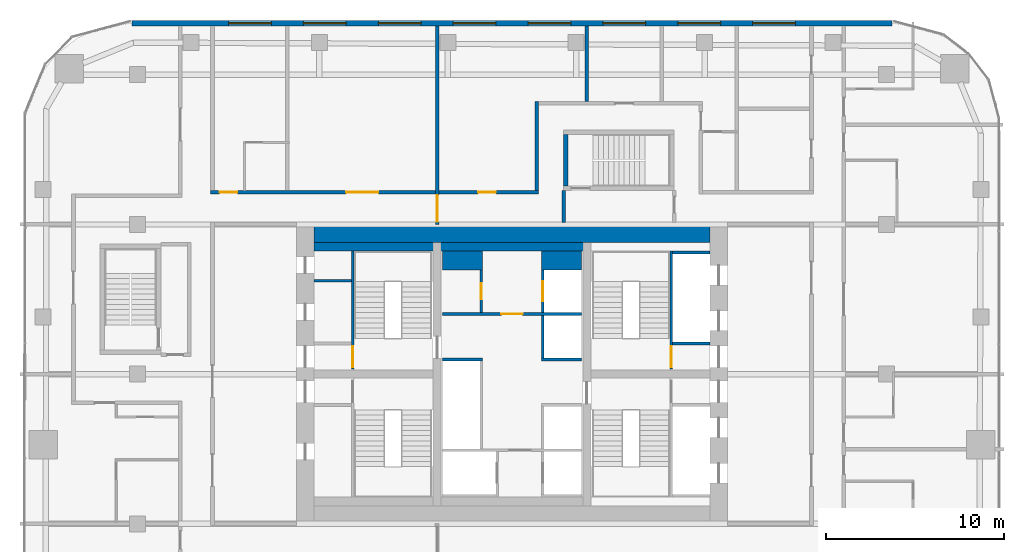
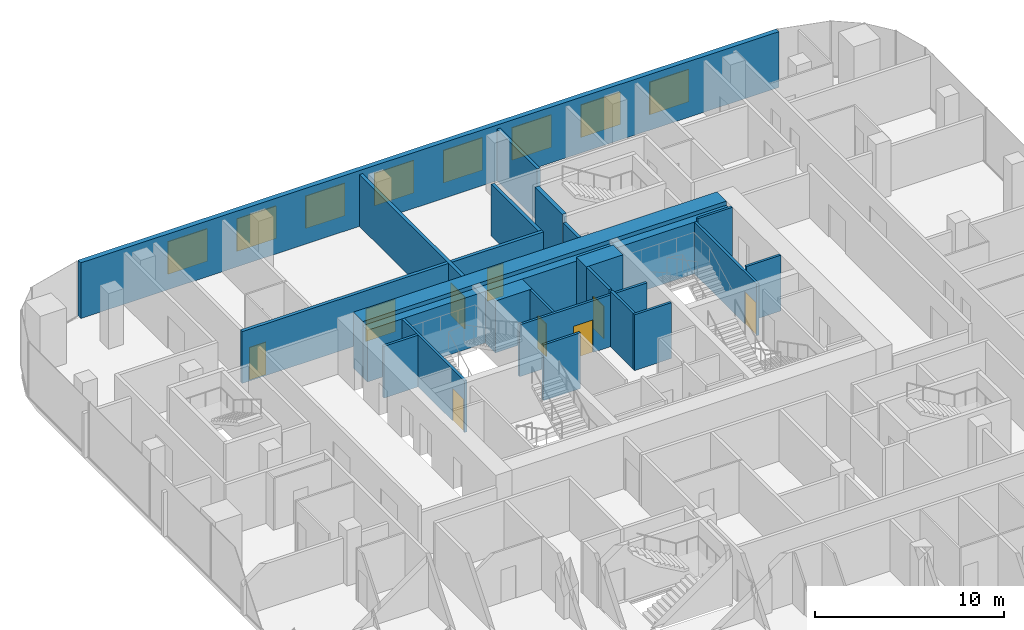
# One storey, part 19 of 23: 22 walls, 9 doors, 8 windows, 17 openings.
"""IFC4 building model written with IfcOpenShell, lengths in metres."""

from ifc_helpers import new_model, si_unit, direction, frame, frame_2d, origin, place, context, subcontext, project, spatial, rectangle, extrude, material, layer, layer_set, type_object, element, fill, save


model = new_model("IFC4")

# Units and contexts
model_context = context("Model", 3, precision=1e-05, world=origin(), true_north=direction((0.0, 1.0)))
body_context = subcontext(model_context, "Body", "Model", "MODEL_VIEW")
ifc_project = project(units=[si_unit("LENGTHUNIT", "METRE"), si_unit("AREAUNIT", "SQUARE_METRE"), si_unit("VOLUMEUNIT", "CUBIC_METRE"), si_unit("PLANEANGLEUNIT", "RADIAN"), si_unit("MASSUNIT", "GRAM", prefix="KILO")], contexts=[model_context])

# Site, building, storey
site_placement = place(None, origin())
site = spatial("IfcSite", under=ifc_project, at=site_placement, CompositionType="ELEMENT")
building_placement = place(site_placement, origin())
building = spatial("IfcBuilding", under=site, at=building_placement, Name="Marenta Gate Hotel Tower", CompositionType="ELEMENT")
storey_placement = place(building_placement, frame((0.0, 0.0, 148.10009765625)))
storey = spatial("IfcBuildingStorey", under=building, at=storey_placement, Name="L34", CompositionType="ELEMENT", Elevation=148.10009765625)

# Wall, openings, windows
ifc_material_1 = material(Name="Concrete C40 board-marked", Category="concrete")
ifc_layer_1 = layer(ifc_material_1, 0.300048828125)
ifc_layer_set_1 = layer_set([ifc_layer_1], Name="Concrete C40 board-marked")
wall_type_1 = type_object("IfcWallType", Name="Board-marked concrete wall 300 mm", PredefinedType="NOTDEFINED", material=ifc_layer_set_1)
wall_1_placement = place(storey_placement, frame((21.305908203125, 28.090087890625, 0.0), z_axis=(0.0, 0.0, 1.0), x_axis=(-1.0, 0.0, 0.0)))
wall_1 = element("IfcWall", 1, at=wall_1_placement, inside=storey, type_object=wall_type_1, Name="L34-CLD-N00", PredefinedType="NOTDEFINED", context=body_context, shape_type="SweptSolid", body=[
    extrude(rectangle(XDim=42.61181640625, YDim=0.300048828125, at=frame_2d((21.305908203125, 0.0))), origin(), (0.0, 0.0, 1.0), 3.599853515625),
])
opening_1_placement = place(wall_1_placement, frame((5.406005859375, 0.0, 0.89990234375)))
opening_1 = element("IfcOpeningElement", 2, at=opening_1_placement, cuts=wall_1, Name="Opening W1", PredefinedType="OPENING", context=body_context, shape_type="SweptSolid", body=[
    extrude(rectangle(XDim=2.39990234375, YDim=2.10009765625, at=frame_2d((1.199951171875, 1.050048828125))), frame((0.0, 0.14990234375, 0.0), z_axis=(0.0, -1.0, 0.0), x_axis=(1.0, 0.0, 0.0)), (0.0, 0.0, 1.0), 0.300048828125),
])
opening_2_placement = place(wall_1_placement, frame((9.60595703125, 0.0, 0.89990234375)))
opening_2 = element("IfcOpeningElement", 3, at=opening_2_placement, cuts=wall_1, Name="Opening W1", PredefinedType="OPENING", context=body_context, shape_type="SweptSolid", body=[
    extrude(rectangle(XDim=2.39990234375, YDim=2.10009765625, at=frame_2d((1.199951171875, 1.050048828125))), frame((0.0, 0.14990234375, 0.0), z_axis=(0.0, -1.0, 0.0), x_axis=(1.0, 0.0, 0.0)), (0.0, 0.0, 1.0), 0.300048828125),
])
opening_3_placement = place(wall_1_placement, frame((13.805908203125, 0.0, 0.89990234375)))
opening_3 = element("IfcOpeningElement", 4, at=opening_3_placement, cuts=wall_1, Name="Opening W1", PredefinedType="OPENING", context=body_context, shape_type="SweptSolid", body=[
    extrude(rectangle(XDim=2.39990234375, YDim=2.10009765625, at=frame_2d((1.199951171875, 1.050048828125))), frame((0.0, 0.14990234375, 0.0), z_axis=(0.0, -1.0, 0.0), x_axis=(1.0, 0.0, 0.0)), (0.0, 0.0, 1.0), 0.300048828125),
])
opening_4_placement = place(wall_1_placement, frame((18.005859375, 0.0, 0.89990234375)))
opening_4 = element("IfcOpeningElement", 5, at=opening_4_placement, cuts=wall_1, Name="Opening W1", PredefinedType="OPENING", context=body_context, shape_type="SweptSolid", body=[
    extrude(rectangle(XDim=2.39990234375, YDim=2.10009765625, at=frame_2d((1.199951171875, 1.050048828125))), frame((0.0, 0.14990234375, 0.0), z_axis=(0.0, -1.0, 0.0), x_axis=(1.0, 0.0, 0.0)), (0.0, 0.0, 1.0), 0.300048828125),
])
opening_5_placement = place(wall_1_placement, frame((22.205810546875, 0.0, 0.89990234375)))
opening_5 = element("IfcOpeningElement", 6, at=opening_5_placement, cuts=wall_1, Name="Opening W1", PredefinedType="OPENING", context=body_context, shape_type="SweptSolid", body=[
    extrude(rectangle(XDim=2.39990234375, YDim=2.10009765625, at=frame_2d((1.199951171875, 1.050048828125))), frame((0.0, 0.14990234375, 0.0), z_axis=(0.0, -1.0, 0.0), x_axis=(1.0, 0.0, 0.0)), (0.0, 0.0, 1.0), 0.300048828125),
])
opening_6_placement = place(wall_1_placement, frame((26.406005859375, 0.0, 0.89990234375)))
opening_6 = element("IfcOpeningElement", 7, at=opening_6_placement, cuts=wall_1, Name="Opening W1", PredefinedType="OPENING", context=body_context, shape_type="SweptSolid", body=[
    extrude(rectangle(XDim=2.39990234375, YDim=2.10009765625, at=frame_2d((1.199951171875, 1.050048828125))), frame((0.0, 0.14990234375, 0.0), z_axis=(0.0, -1.0, 0.0), x_axis=(1.0, 0.0, 0.0)), (0.0, 0.0, 1.0), 0.300048828125),
])
opening_7_placement = place(wall_1_placement, frame((30.60595703125, 0.0, 0.89990234375)))
opening_7 = element("IfcOpeningElement", 8, at=opening_7_placement, cuts=wall_1, Name="Opening W1", PredefinedType="OPENING", context=body_context, shape_type="SweptSolid", body=[
    extrude(rectangle(XDim=2.39990234375, YDim=2.10009765625, at=frame_2d((1.199951171875, 1.050048828125))), frame((0.0, 0.14990234375, 0.0), z_axis=(0.0, -1.0, 0.0), x_axis=(1.0, 0.0, 0.0)), (0.0, 0.0, 1.0), 0.300048828125),
])
opening_8_placement = place(wall_1_placement, frame((34.805908203125, 0.0, 0.89990234375)))
opening_8 = element("IfcOpeningElement", 9, at=opening_8_placement, cuts=wall_1, Name="Opening W1", PredefinedType="OPENING", context=body_context, shape_type="SweptSolid", body=[
    extrude(rectangle(XDim=2.39990234375, YDim=2.10009765625, at=frame_2d((1.199951171875, 1.050048828125))), frame((0.0, 0.14990234375, 0.0), z_axis=(0.0, -1.0, 0.0), x_axis=(1.0, 0.0, 0.0)), (0.0, 0.0, 1.0), 0.300048828125),
])
ifc_material_2 = material(Name="Tinted insulated glass in bronze anodised frame", Category="glass")
window_type = type_object("IfcWindowType", Name="Window W1 2400x2100 bronze frame", PartitioningType="SINGLE_PANEL", PredefinedType="WINDOW", material=ifc_material_2)
window_1_placement = place(opening_1_placement, origin())
window_1 = element("IfcWindow", 10, at=window_1_placement, inside=storey, type_object=window_type, Name="Window W1", OverallHeight=2.10009765625, OverallWidth=2.39990234375, PartitioningType="SINGLE_PANEL", PredefinedType="WINDOW", context=body_context, shape_type="SweptSolid", body=[
    extrude(rectangle(XDim=2.39990234375, YDim=2.10009765625, at=frame_2d((1.199951171875, 1.050048828125))), frame((0.0, 0.030029296875, 0.0), z_axis=(0.0, -1.0, 0.0), x_axis=(1.0, 0.0, 0.0)), (0.0, 0.0, 1.0), 0.06005859375),
])
fill(opening_1, window_1)
window_2_placement = place(opening_2_placement, origin())
window_2 = element("IfcWindow", 11, at=window_2_placement, inside=storey, type_object=window_type, Name="Window W1", OverallHeight=2.10009765625, OverallWidth=2.39990234375, PartitioningType="SINGLE_PANEL", PredefinedType="WINDOW", context=body_context, shape_type="SweptSolid", body=[
    extrude(rectangle(XDim=2.39990234375, YDim=2.10009765625, at=frame_2d((1.199951171875, 1.050048828125))), frame((0.0, 0.030029296875, 0.0), z_axis=(0.0, -1.0, 0.0), x_axis=(1.0, 0.0, 0.0)), (0.0, 0.0, 1.0), 0.06005859375),
])
fill(opening_2, window_2)
window_3_placement = place(opening_3_placement, origin())
window_3 = element("IfcWindow", 12, at=window_3_placement, inside=storey, type_object=window_type, Name="Window W1", OverallHeight=2.10009765625, OverallWidth=2.39990234375, PartitioningType="SINGLE_PANEL", PredefinedType="WINDOW", context=body_context, shape_type="SweptSolid", body=[
    extrude(rectangle(XDim=2.39990234375, YDim=2.10009765625, at=frame_2d((1.199951171875, 1.050048828125))), frame((0.0, 0.030029296875, 0.0), z_axis=(0.0, -1.0, 0.0), x_axis=(1.0, 0.0, 0.0)), (0.0, 0.0, 1.0), 0.06005859375),
])
fill(opening_3, window_3)
window_4_placement = place(opening_4_placement, origin())
window_4 = element("IfcWindow", 13, at=window_4_placement, inside=storey, type_object=window_type, Name="Window W1", OverallHeight=2.10009765625, OverallWidth=2.39990234375, PartitioningType="SINGLE_PANEL", PredefinedType="WINDOW", context=body_context, shape_type="SweptSolid", body=[
    extrude(rectangle(XDim=2.39990234375, YDim=2.10009765625, at=frame_2d((1.199951171875, 1.050048828125))), frame((0.0, 0.030029296875, 0.0), z_axis=(0.0, -1.0, 0.0), x_axis=(1.0, 0.0, 0.0)), (0.0, 0.0, 1.0), 0.06005859375),
])
fill(opening_4, window_4)
window_5_placement = place(opening_5_placement, origin())
window_5 = element("IfcWindow", 14, at=window_5_placement, inside=storey, type_object=window_type, Name="Window W1", OverallHeight=2.10009765625, OverallWidth=2.39990234375, PartitioningType="SINGLE_PANEL", PredefinedType="WINDOW", context=body_context, shape_type="SweptSolid", body=[
    extrude(rectangle(XDim=2.39990234375, YDim=2.10009765625, at=frame_2d((1.199951171875, 1.050048828125))), frame((0.0, 0.030029296875, 0.0), z_axis=(0.0, -1.0, 0.0), x_axis=(1.0, 0.0, 0.0)), (0.0, 0.0, 1.0), 0.06005859375),
])
fill(opening_5, window_5)
window_6_placement = place(opening_6_placement, origin())
window_6 = element("IfcWindow", 15, at=window_6_placement, inside=storey, type_object=window_type, Name="Window W1", OverallHeight=2.10009765625, OverallWidth=2.39990234375, PartitioningType="SINGLE_PANEL", PredefinedType="WINDOW", context=body_context, shape_type="SweptSolid", body=[
    extrude(rectangle(XDim=2.39990234375, YDim=2.10009765625, at=frame_2d((1.199951171875, 1.050048828125))), frame((0.0, 0.030029296875, 0.0), z_axis=(0.0, -1.0, 0.0), x_axis=(1.0, 0.0, 0.0)), (0.0, 0.0, 1.0), 0.06005859375),
])
fill(opening_6, window_6)
window_7_placement = place(opening_7_placement, origin())
window_7 = element("IfcWindow", 16, at=window_7_placement, inside=storey, type_object=window_type, Name="Window W1", OverallHeight=2.10009765625, OverallWidth=2.39990234375, PartitioningType="SINGLE_PANEL", PredefinedType="WINDOW", context=body_context, shape_type="SweptSolid", body=[
    extrude(rectangle(XDim=2.39990234375, YDim=2.10009765625, at=frame_2d((1.199951171875, 1.050048828125))), frame((0.0, 0.030029296875, 0.0), z_axis=(0.0, -1.0, 0.0), x_axis=(1.0, 0.0, 0.0)), (0.0, 0.0, 1.0), 0.06005859375),
])
fill(opening_7, window_7)
window_8_placement = place(opening_8_placement, origin())
window_8 = element("IfcWindow", 17, at=window_8_placement, inside=storey, type_object=window_type, Name="Window W1", OverallHeight=2.10009765625, OverallWidth=2.39990234375, PartitioningType="SINGLE_PANEL", PredefinedType="WINDOW", context=body_context, shape_type="SweptSolid", body=[
    extrude(rectangle(XDim=2.39990234375, YDim=2.10009765625, at=frame_2d((1.199951171875, 1.050048828125))), frame((0.0, 0.030029296875, 0.0), z_axis=(0.0, -1.0, 0.0), x_axis=(1.0, 0.0, 0.0)), (0.0, 0.0, 1.0), 0.06005859375),
])
fill(opening_8, window_8)

# Wall, opening, door
ifc_material_3 = material(Name="Concrete blockwork", Category="masonry")
ifc_layer_2 = layer(ifc_material_3, 0.199951171875)
ifc_layer_set_2 = layer_set([ifc_layer_2], Name="Concrete blockwork")
wall_type_2 = type_object("IfcWallType", Name="Compartment wall 200 REI 180", PredefinedType="PARTITIONING", material=ifc_layer_set_2)
wall_2_placement = place(storey_placement, frame((-4.199951171875, 16.800048828125, 0.0), z_axis=(0.0, 0.0, 1.0), x_axis=(0.0, 1.0, 0.0)))
wall_2 = element("IfcWall", 18, at=wall_2_placement, inside=storey, type_object=wall_type_2, Name="L34-PTN-W074", PredefinedType="PARTITIONING", context=body_context, shape_type="SweptSolid", body=[
    extrude(rectangle(XDim=11.139892578125, YDim=0.199951171875, at=frame_2d((5.56982421875, 0.0))), origin(), (0.0, 0.0, 1.0), 3.33984375),
])
opening_9_placement = place(wall_2_placement, frame((0.14990234375, 0.0, 0.0)))
opening_9 = element("IfcOpeningElement", 19, at=opening_9_placement, cuts=wall_2, Name="Opening G13-FD1", PredefinedType="OPENING", context=body_context, shape_type="SweptSolid", body=[
    extrude(rectangle(XDim=1.5, YDim=2.10009765625, at=frame_2d((0.75, 1.050048828125))), frame((0.0, 0.10009765625, 0.0), z_axis=(0.0, -1.0, 0.0), x_axis=(1.0, 0.0, 0.0)), (0.0, 0.0, 1.0), 0.199951171875),
])
ifc_material_4 = material(Name="Hollow steel door set", Category="steel")
door_type_1 = type_object("IfcDoorType", Name="Compartment fire door 1500x2100 EI 60", OperationType="DOUBLE_DOOR_DOUBLE_SWING", PredefinedType="DOOR", material=ifc_material_4)
door_1_placement = place(opening_9_placement, origin())
door_1 = element("IfcDoor", 20, at=door_1_placement, inside=storey, type_object=door_type_1, Name="L34-PD-FD01", OperationType="DOUBLE_DOOR_DOUBLE_SWING", OverallHeight=2.10009765625, OverallWidth=1.5, PredefinedType="DOOR", context=body_context, shape_type="SweptSolid", body=[
    extrude(rectangle(XDim=1.5, YDim=2.10009765625, at=frame_2d((0.75, 1.050048828125))), frame((0.0, 0.02490234375, 0.0), z_axis=(0.0, -1.0, 0.0), x_axis=(1.0, 0.0, 0.0)), (0.0, 0.0, 1.0), 0.050048828125),
])
fill(opening_9, door_1)

# Wall
ifc_material_5 = material(Name="Concrete C40", Category="concrete")
ifc_layer_3 = layer(ifc_material_5, 0.5)
ifc_layer_set_3 = layer_set([ifc_layer_3], Name="Concrete C40")
wall_type_3 = type_object("IfcWallType", Name="Core lining wall 500 REI 180", PredefinedType="PARTITIONING", material=ifc_layer_set_3)
wall_3_placement = place(storey_placement, frame((-11.10009765625, 15.550048828125, 0.0), z_axis=(0.0, 0.0, 1.0), x_axis=(1.0, 0.0, 0.0)))
element("IfcWall", 21, at=wall_3_placement, inside=storey, type_object=wall_type_3, Name="L34-CP-LN-N", PredefinedType="PARTITIONING", context=body_context, shape_type="SweptSolid", body=[
    extrude(rectangle(XDim=22.2001953125, YDim=0.5, at=frame_2d((11.10009765625, 0.0))), origin(), (0.0, 0.0, 1.0), 3.33984375),
])

# Wall, opening, door
ifc_material_6 = material(Name="Concrete blockwork", Category="masonry")
ifc_layer_4 = layer(ifc_material_6, 0.14990234375)
ifc_layer_set_4 = layer_set([ifc_layer_4], Name="Concrete blockwork")
wall_type_4 = type_object("IfcWallType", Name="Core lobby partition 150 REI 180", PredefinedType="PARTITIONING", material=ifc_layer_set_4)
wall_4_placement = place(storey_placement, frame((-3.89990234375, 11.77490234375, 0.0), z_axis=(0.0, 0.0, 1.0), x_axis=(1.0, 0.0, 0.0)))
wall_4 = element("IfcWall", 22, at=wall_4_placement, inside=storey, type_object=wall_type_4, Name="L34-CP-CW-N", PredefinedType="PARTITIONING", context=body_context, shape_type="SweptSolid", body=[
    extrude(rectangle(XDim=7.7998046875, YDim=0.14990234375, at=frame_2d((3.89990234375, 0.0))), origin(), (0.0, 0.0, 1.0), 3.33984375),
])
opening_10_placement = place(wall_4_placement, frame((3.300048828125, 0.0, 0.0)))
opening_10 = element("IfcOpeningElement", 23, at=opening_10_placement, cuts=wall_4, Name="Opening FD-FFN", PredefinedType="OPENING", context=body_context, shape_type="SweptSolid", body=[
    extrude(rectangle(XDim=1.199951171875, YDim=2.10009765625, at=frame_2d((0.60009765625, 1.050048828125))), frame((0.0, 0.074951171875, 0.0), z_axis=(0.0, -1.0, 0.0), x_axis=(1.0, 0.0, 0.0)), (0.0, 0.0, 1.0), 0.14990234375),
])
ifc_material_7 = material(Name="Steel", Category="steel")
door_type_2 = type_object("IfcDoorType", Name="Core lobby door 1200x2100 FD60", OperationType="SINGLE_SWING_LEFT", PredefinedType="DOOR", material=ifc_material_7)
door_2_placement = place(opening_10_placement, origin())
door_2 = element("IfcDoor", 24, at=door_2_placement, inside=storey, type_object=door_type_2, Name="FD-FFN", OperationType="SINGLE_SWING_LEFT", OverallHeight=2.10009765625, OverallWidth=1.199951171875, PredefinedType="DOOR", context=body_context, shape_type="SweptSolid", body=[
    extrude(rectangle(XDim=1.199951171875, YDim=2.10009765625, at=frame_2d((0.60009765625, 1.050048828125))), frame((0.0, 0.02490234375, 0.0), z_axis=(0.0, -1.0, 0.0), x_axis=(1.0, 0.0, 0.0)), (0.0, 0.0, 1.0), 0.050048828125),
])
fill(opening_10, door_2)

# Walls
ifc_material_8 = material(Name="Concrete blockwork", Category="masonry")
ifc_layer_5 = layer(ifc_material_8, 1.050048828125)
ifc_layer_set_5 = layer_set([ifc_layer_5], Name="Concrete blockwork")
wall_type_5 = type_object("IfcWallType", Name="Core room partition 1050 REI 180", PredefinedType="PARTITIONING", material=ifc_layer_set_5)
wall_5_placement = place(storey_placement, frame((-3.89990234375, 14.77490234375, 0.0), z_axis=(0.0, 0.0, 1.0), x_axis=(1.0, 0.0, 0.0)))
element("IfcWall", 25, at=wall_5_placement, inside=storey, type_object=wall_type_5, Name="L34-CP-CW-W-riser-N", PredefinedType="PARTITIONING", context=body_context, shape_type="SweptSolid", body=[
    extrude(rectangle(XDim=2.25, YDim=1.050048828125, at=frame_2d((1.125, 0.0))), origin(), (0.0, 0.0, 1.0), 3.33984375),
])
ifc_material_9 = material(Name="Concrete blockwork", Category="masonry")
ifc_layer_6 = layer(ifc_material_9, 0.14990234375)
ifc_layer_set_6 = layer_set([ifc_layer_6], Name="Concrete blockwork")
wall_type_6 = type_object("IfcWallType", Name="Core room partition 150 REI 180", PredefinedType="PARTITIONING", material=ifc_layer_set_6)
wall_6_placement = place(storey_placement, frame((-11.10009765625, 13.64990234375, 0.0), z_axis=(0.0, 0.0, 1.0), x_axis=(1.0, 0.0, 0.0)))
element("IfcWall", 26, at=wall_6_placement, inside=storey, type_object=wall_type_6, Name="L34-CP-RW-WN-1", PredefinedType="PARTITIONING", context=body_context, shape_type="SweptSolid", body=[
    extrude(rectangle(XDim=2.10009765625, YDim=0.14990234375, at=frame_2d((1.050048828125, 0.0))), origin(), (0.0, 0.0, 1.0), 3.33984375),
])

# Wall, opening, door
wall_7_placement = place(storey_placement, frame((-1.72509765625, 11.85009765625, 0.0), z_axis=(0.0, 0.0, 1.0), x_axis=(0.0, 1.0, 0.0)))
wall_7 = element("IfcWall", 27, at=wall_7_placement, inside=storey, type_object=wall_type_6, Name="L34-CP-CW-W-riser-front", PredefinedType="PARTITIONING", context=body_context, shape_type="SweptSolid", body=[
    extrude(rectangle(XDim=2.39990234375, YDim=0.14990234375, at=frame_2d((1.199951171875, 0.0))), origin(), (0.0, 0.0, 1.0), 3.33984375),
])
opening_11_placement = place(wall_7_placement, frame((0.75, 0.0, 0.0)))
opening_11 = element("IfcOpeningElement", 28, at=opening_11_placement, cuts=wall_7, Name="Opening RD-CRISER", PredefinedType="OPENING", context=body_context, shape_type="SweptSolid", body=[
    extrude(rectangle(XDim=0.89990234375, YDim=2.10009765625, at=frame_2d((0.449951171875, 1.050048828125))), frame((0.0, 0.074951171875, 0.0), z_axis=(0.0, -1.0, 0.0), x_axis=(1.0, 0.0, 0.0)), (0.0, 0.0, 1.0), 0.14990234375),
])
ifc_material_10 = material(Name="Steel", Category="steel")
door_type_3 = type_object("IfcDoorType", Name="Core riser door 900x2100 FD60", OperationType="SINGLE_SWING_LEFT", PredefinedType="DOOR", material=ifc_material_10)
door_3_placement = place(opening_11_placement, origin())
door_3 = element("IfcDoor", 29, at=door_3_placement, inside=storey, type_object=door_type_3, Name="RD-CRISER", OperationType="SINGLE_SWING_LEFT", OverallHeight=2.10009765625, OverallWidth=0.89990234375, PredefinedType="DOOR", context=body_context, shape_type="SweptSolid", body=[
    extrude(rectangle(XDim=0.89990234375, YDim=2.10009765625, at=frame_2d((0.449951171875, 1.050048828125))), frame((0.0, 0.02490234375, 0.0), z_axis=(0.0, -1.0, 0.0), x_axis=(1.0, 0.0, 0.0)), (0.0, 0.0, 1.0), 0.050048828125),
])
fill(opening_11, door_3)

# Walls
ifc_material_11 = material(Name="Concrete C40", Category="concrete")
ifc_layer_7 = layer(ifc_material_11, 1.050048828125)
ifc_layer_set_7 = layer_set([ifc_layer_7], Name="Concrete C40")
wall_type_7 = type_object("IfcWallType", Name="Core shaft wall 1050 REI 180", PredefinedType="SHEAR", material=ifc_layer_set_7)
wall_8_placement = place(storey_placement, frame((1.64990234375, 14.77490234375, 0.0), z_axis=(0.0, 0.0, 1.0), x_axis=(1.0, 0.0, 0.0)))
element("IfcWall", 30, at=wall_8_placement, inside=storey, type_object=wall_type_7, Name="L34-SHF-CE-N-top", PredefinedType="SHEAR", context=body_context, shape_type="SweptSolid", body=[
    extrude(rectangle(XDim=2.25, YDim=1.050048828125, at=frame_2d((1.125, 0.0))), origin(), (0.0, 0.0, 1.0), 3.599853515625),
])
ifc_material_12 = material(Name="Concrete C40", Category="concrete")
ifc_layer_8 = layer(ifc_material_12, 0.14990234375)
ifc_layer_set_8 = layer_set([ifc_layer_8], Name="Concrete C40")
wall_type_8 = type_object("IfcWallType", Name="Core shaft wall 150 REI 180", PredefinedType="SHEAR", material=ifc_layer_set_8)
for number, where, z_axis, x_axis, name in (
    (31, (9.0, 10.125, 0.0), (0.0, 0.0, 1.0), (1.0, 0.0, 0.0), "L34-SHF-SW-EN-2"),
    (32, (9.0, 15.22509765625, 0.0), (0.0, 0.0, 1.0), (1.0, 0.0, 0.0), "L34-SHF-SW-EN-5"),
):
    element("IfcWall", number, at=place(storey_placement, frame(where, z_axis=z_axis, x_axis=x_axis)), inside=storey, type_object=wall_type_8, Name=name, PredefinedType="SHEAR", context=body_context, shape_type="SweptSolid", body=[
        extrude(rectangle(XDim=2.10009765625, YDim=0.14990234375, at=frame_2d((1.050048828125, 0.0))), origin(), (0.0, 0.0, 1.0), 3.599853515625),
    ])
wall_9_placement = place(storey_placement, frame((-3.89990234375, 9.22509765625, 0.0), z_axis=(0.0, 0.0, 1.0), x_axis=(1.0, 0.0, 0.0)))
element("IfcWall", 33, at=wall_9_placement, inside=storey, type_object=wall_type_8, Name="L34-SHF-CW-W-sep", PredefinedType="SHEAR", context=body_context, shape_type="SweptSolid", body=[
    extrude(rectangle(XDim=2.25, YDim=0.14990234375, at=frame_2d((1.125, 0.0))), origin(), (0.0, 0.0, 1.0), 3.599853515625),
])

# Wall, opening, door
wall_10_placement = place(storey_placement, frame((1.72509765625, 11.85009765625, 0.0), z_axis=(0.0, 0.0, 1.0), x_axis=(0.0, 1.0, 0.0)))
wall_10 = element("IfcWall", 34, at=wall_10_placement, inside=storey, type_object=wall_type_8, Name="L34-SHF-CE-N-front2", PredefinedType="SHEAR", context=body_context, shape_type="SweptSolid", body=[
    extrude(rectangle(XDim=2.39990234375, YDim=0.14990234375, at=frame_2d((1.199951171875, 0.0))), origin(), (0.0, 0.0, 1.0), 3.599853515625),
])
opening_12_placement = place(wall_10_placement, frame((0.64990234375, 0.0, 0.0)))
opening_12 = element("IfcOpeningElement", 35, at=opening_12_placement, cuts=wall_10, Name="Opening LD-FF2", PredefinedType="OPENING", context=body_context, shape_type="SweptSolid", body=[
    extrude(rectangle(XDim=1.10009765625, YDim=2.10009765625, at=frame_2d((0.550048828125, 1.050048828125))), frame((0.0, 0.074951171875, 0.0), z_axis=(0.0, -1.0, 0.0), x_axis=(1.0, 0.0, 0.0)), (0.0, 0.0, 1.0), 0.14990234375),
])
ifc_material_13 = material(Name="Steel", Category="steel")
door_type_4 = type_object("IfcDoorType", Name="Core lift landing door 1100x2100 E 60", OperationType="SLIDING_TO_LEFT", PredefinedType="DOOR", material=ifc_material_13)
door_4_placement = place(opening_12_placement, origin())
door_4 = element("IfcDoor", 36, at=door_4_placement, inside=storey, type_object=door_type_4, Name="LD-FF2", OperationType="SLIDING_TO_LEFT", OverallHeight=2.10009765625, OverallWidth=1.10009765625, PredefinedType="DOOR", context=body_context, shape_type="SweptSolid", body=[
    extrude(rectangle(XDim=1.10009765625, YDim=2.10009765625, at=frame_2d((0.550048828125, 1.050048828125))), frame((0.0, 0.02490234375, 0.0), z_axis=(0.0, -1.0, 0.0), x_axis=(1.0, 0.0, 0.0)), (0.0, 0.0, 1.0), 0.050048828125),
])
fill(opening_12, door_4)

# Walls
wall_11_placement = place(storey_placement, frame((1.64990234375, 9.22509765625, 0.0), z_axis=(0.0, 0.0, 1.0), x_axis=(1.0, 0.0, 0.0)))
element("IfcWall", 37, at=wall_11_placement, inside=storey, type_object=wall_type_8, Name="L34-SHF-CE-sep2", PredefinedType="SHEAR", context=body_context, shape_type="SweptSolid", body=[
    extrude(rectangle(XDim=2.25, YDim=0.14990234375, at=frame_2d((1.125, 0.0))), origin(), (0.0, 0.0, 1.0), 3.599853515625),
])
wall_12_placement = place(storey_placement, frame((1.72509765625, 9.300048828125, 0.0), z_axis=(0.0, 0.0, 1.0), x_axis=(0.0, 1.0, 0.0)))
element("IfcWall", 38, at=wall_12_placement, inside=storey, type_object=wall_type_8, Name="L34-SHF-CE-front-2", PredefinedType="SHEAR", context=body_context, shape_type="SweptSolid", body=[
    extrude(rectangle(XDim=2.39990234375, YDim=0.14990234375, at=frame_2d((1.199951171875, 0.0))), origin(), (0.0, 0.0, 1.0), 3.599853515625),
])

# Wall, opening, door
ifc_material_14 = material(Name="Concrete C40", Category="concrete")
ifc_layer_9 = layer(ifc_material_14, 0.14990234375)
ifc_layer_set_9 = layer_set([ifc_layer_9], Name="Concrete C40")
wall_type_9 = type_object("IfcWallType", Name="Core stair enclosure wall 150 REI 180", PredefinedType="SHEAR", material=ifc_layer_set_9)
wall_13_placement = place(storey_placement, frame((-8.925048828125, 8.699951171875, 0.0), z_axis=(0.0, 0.0, 1.0), x_axis=(0.0, 1.0, 0.0)))
wall_13 = element("IfcWall", 39, at=wall_13_placement, inside=storey, type_object=wall_type_9, Name="L34-SHF-SW-WN-3", PredefinedType="SHEAR", context=body_context, shape_type="SweptSolid", body=[
    extrude(rectangle(XDim=6.60009765625, YDim=0.14990234375, at=frame_2d((3.300048828125, 0.0))), origin(), (0.0, 0.0, 1.0), 3.33984375),
])
opening_13_placement = place(wall_13_placement, frame((0.074951171875, 0.0, 0.0)))
opening_13 = element("IfcOpeningElement", 40, at=opening_13_placement, cuts=wall_13, Name="Opening SD-WN", PredefinedType="OPENING", context=body_context, shape_type="SweptSolid", body=[
    extrude(rectangle(XDim=1.199951171875, YDim=2.10009765625, at=frame_2d((0.60009765625, 1.050048828125))), frame((0.0, 0.074951171875, 0.0), z_axis=(0.0, -1.0, 0.0), x_axis=(1.0, 0.0, 0.0)), (0.0, 0.0, 1.0), 0.14990234375),
])
ifc_material_15 = material(Name="Steel", Category="steel")
door_type_5 = type_object("IfcDoorType", Name="Core stair door 1200x2100 FD60", OperationType="SINGLE_SWING_LEFT", PredefinedType="DOOR", material=ifc_material_15)
door_5_placement = place(opening_13_placement, origin())
door_5 = element("IfcDoor", 41, at=door_5_placement, inside=storey, type_object=door_type_5, Name="SD-WN", OperationType="SINGLE_SWING_LEFT", OverallHeight=2.10009765625, OverallWidth=1.199951171875, PredefinedType="DOOR", context=body_context, shape_type="SweptSolid", body=[
    extrude(rectangle(XDim=1.199951171875, YDim=2.10009765625, at=frame_2d((0.60009765625, 1.050048828125))), frame((0.0, 0.02490234375, 0.0), z_axis=(0.0, -1.0, 0.0), x_axis=(1.0, 0.0, 0.0)), (0.0, 0.0, 1.0), 0.050048828125),
])
fill(opening_13, door_5)

wall_14_placement = place(storey_placement, frame((8.925048828125, 8.699951171875, 0.0), z_axis=(0.0, 0.0, 1.0), x_axis=(0.0, 1.0, 0.0)))
wall_14 = element("IfcWall", 42, at=wall_14_placement, inside=storey, type_object=wall_type_9, Name="L34-SHF-SW-EN-3", PredefinedType="SHEAR", context=body_context, shape_type="SweptSolid", body=[
    extrude(rectangle(XDim=6.60009765625, YDim=0.14990234375, at=frame_2d((3.300048828125, 0.0))), origin(), (0.0, 0.0, 1.0), 3.33984375),
])
opening_14_placement = place(wall_14_placement, frame((0.074951171875, 0.0, 0.0)))
opening_14 = element("IfcOpeningElement", 43, at=opening_14_placement, cuts=wall_14, Name="Opening SD-EN", PredefinedType="OPENING", context=body_context, shape_type="SweptSolid", body=[
    extrude(rectangle(XDim=1.199951171875, YDim=2.10009765625, at=frame_2d((0.60009765625, 1.050048828125))), frame((0.0, 0.074951171875, 0.0), z_axis=(0.0, -1.0, 0.0), x_axis=(1.0, 0.0, 0.0)), (0.0, 0.0, 1.0), 0.14990234375),
])
door_6_placement = place(opening_14_placement, origin())
door_6 = element("IfcDoor", 44, at=door_6_placement, inside=storey, type_object=door_type_5, Name="SD-EN", OperationType="SINGLE_SWING_LEFT", OverallHeight=2.10009765625, OverallWidth=1.199951171875, PredefinedType="DOOR", context=body_context, shape_type="SweptSolid", body=[
    extrude(rectangle(XDim=1.199951171875, YDim=2.10009765625, at=frame_2d((0.60009765625, 1.050048828125))), frame((0.0, 0.02490234375, 0.0), z_axis=(0.0, -1.0, 0.0), x_axis=(1.0, 0.0, 0.0)), (0.0, 0.0, 1.0), 0.050048828125),
])
fill(opening_14, door_6)

# Walls
ifc_material_16 = material(Name="Concrete C70", Category="concrete")
ifc_layer_10 = layer(ifc_material_16, 1.0)
ifc_layer_set_10 = layer_set([ifc_layer_10], Name="Concrete C70")
wall_type_10 = type_object("IfcWallType", Name="Core wall 1000 C70", PredefinedType="SHEAR", material=ifc_layer_set_10)
wall_15_placement = place(storey_placement, frame((-11.10009765625, 16.300048828125, 0.0), z_axis=(0.0, 0.0, 1.0), x_axis=(1.0, 0.0, 0.0)))
element("IfcWall", 45, at=wall_15_placement, inside=storey, type_object=wall_type_10, Name="L34-CORE-N", PredefinedType="SHEAR", context=body_context, shape_type="SweptSolid", body=[
    extrude(rectangle(XDim=22.2001953125, YDim=1.0, at=frame_2d((11.10009765625, 0.0))), origin(), (0.0, 0.0, 1.0), 3.599853515625),
])
ifc_material_17 = material(Name="Concrete C40", Category="concrete")
ifc_layer_11 = layer(ifc_material_17, 0.25)
ifc_layer_set_11 = layer_set([ifc_layer_11], Name="Concrete C40")
wall_type_11 = type_object("IfcWallType", Name="Remote stair enclosure wall 250 REI 180", PredefinedType="SHEAR", material=ifc_layer_set_11)
wall_16_placement = place(storey_placement, frame((3.02490234375, 18.949951171875, 0.099853515625), z_axis=(0.0, 0.0, 1.0), x_axis=(0.0, 1.0, 0.0)))
element("IfcWall", 46, at=wall_16_placement, inside=storey, type_object=wall_type_11, Name="L34-RS-Z2-4-W3", PredefinedType="SHEAR", context=body_context, shape_type="SweptSolid", body=[
    extrude(rectangle(XDim=2.900146484375, YDim=0.25, at=frame_2d((1.4501953125, 0.0))), origin(), (0.0, 0.0, 1.0), 3.60009765625),
])
ifc_material_18 = material(Name="Gypsum board on steel stud", Category="steel")
ifc_layer_12 = layer(ifc_material_18, 0.199951171875)
ifc_layer_set_12 = layer_set([ifc_layer_12], Name="Gypsum board on steel stud")
wall_type_12 = type_object("IfcWallType", Name="Room corridor wall 200 EI 60", PredefinedType="PARTITIONING", material=ifc_layer_set_12)
wall_17_placement = place(storey_placement, frame((1.39990234375, 18.699951171875, 0.0), z_axis=(0.0, 0.0, 1.0), x_axis=(0.0, 1.0, 0.0)))
element("IfcWall", 47, at=wall_17_placement, inside=storey, type_object=wall_type_12, Name="L34-PTN-W065", PredefinedType="PARTITIONING", context=body_context, shape_type="SweptSolid", body=[
    extrude(rectangle(XDim=5.0, YDim=0.199951171875, at=frame_2d((2.5, 0.0))), origin(), (0.0, 0.0, 1.0), 3.33984375),
])

# Wall, openings, doors
wall_18_placement = place(storey_placement, frame((-16.89990234375, 18.60009765625, 0.0), z_axis=(0.0, 0.0, 1.0), x_axis=(1.0, 0.0, 0.0)))
wall_18 = element("IfcWall", 48, at=wall_18_placement, inside=storey, type_object=wall_type_12, Name="L34-PTN-W103", PredefinedType="PARTITIONING", context=body_context, shape_type="SweptSolid", body=[
    extrude(rectangle(XDim=18.39990234375, YDim=0.199951171875, at=frame_2d((9.199951171875, 0.0))), origin(), (0.0, 0.0, 1.0), 3.33984375),
])
opening_15_placement = place(wall_18_placement, frame((0.5, 0.0, 0.0)))
opening_15 = element("IfcOpeningElement", 49, at=opening_15_placement, cuts=wall_18, Name="Opening G13-23", PredefinedType="OPENING", context=body_context, shape_type="SweptSolid", body=[
    extrude(rectangle(XDim=1.0, YDim=2.10009765625, at=frame_2d((0.5, 1.050048828125))), frame((0.0, 0.10009765625, 0.0), z_axis=(0.0, -1.0, 0.0), x_axis=(1.0, 0.0, 0.0)), (0.0, 0.0, 1.0), 0.199951171875),
])
opening_16_placement = place(wall_18_placement, frame((7.60009765625, 0.0, 0.0)))
opening_16 = element("IfcOpeningElement", 50, at=opening_16_placement, cuts=wall_18, Name="Opening G13-25", PredefinedType="OPENING", context=body_context, shape_type="SweptSolid", body=[
    extrude(rectangle(XDim=1.800048828125, YDim=2.10009765625, at=frame_2d((0.89990234375, 1.050048828125))), frame((0.0, 0.10009765625, 0.0), z_axis=(0.0, -1.0, 0.0), x_axis=(1.0, 0.0, 0.0)), (0.0, 0.0, 1.0), 0.199951171875),
])
opening_17_placement = place(wall_18_placement, frame((15.0, 0.0, 0.0)))
opening_17 = element("IfcOpeningElement", 51, at=opening_17_placement, cuts=wall_18, Name="Opening G13-62", PredefinedType="OPENING", context=body_context, shape_type="SweptSolid", body=[
    extrude(rectangle(XDim=1.0, YDim=2.10009765625, at=frame_2d((0.5, 1.050048828125))), frame((0.0, 0.10009765625, 0.0), z_axis=(0.0, -1.0, 0.0), x_axis=(1.0, 0.0, 0.0)), (0.0, 0.0, 1.0), 0.199951171875),
])
ifc_material_19 = material(Name="Timber door leaf", Category="wood")
door_type_6 = type_object("IfcDoorType", Name="Guest room door 1000x2100 EI 30", OperationType="NOTDEFINED", PredefinedType="DOOR", material=ifc_material_19)
door_7_placement = place(opening_15_placement, origin())
door_7 = element("IfcDoor", 52, at=door_7_placement, inside=storey, type_object=door_type_6, Name="L34-PD-D023", OperationType="SINGLE_SWING_RIGHT", OverallHeight=2.10009765625, OverallWidth=1.0, PredefinedType="DOOR", context=body_context, shape_type="SweptSolid", body=[
    extrude(rectangle(XDim=1.0, YDim=2.10009765625, at=frame_2d((0.5, 1.050048828125))), frame((0.0, 0.02490234375, 0.0), z_axis=(0.0, -1.0, 0.0), x_axis=(1.0, 0.0, 0.0)), (0.0, 0.0, 1.0), 0.050048828125),
])
fill(opening_15, door_7)
ifc_material_20 = material(Name="Timber door leaf", Category="wood")
door_type_7 = type_object("IfcDoorType", Name="Room amenity door 1000x2100 EI 30", OperationType="NOTDEFINED", PredefinedType="DOOR", material=ifc_material_20)
door_8_placement = place(opening_17_placement, origin())
door_8 = element("IfcDoor", 53, at=door_8_placement, inside=storey, type_object=door_type_7, Name="L34-PD-D062", OperationType="SINGLE_SWING_LEFT", OverallHeight=2.10009765625, OverallWidth=1.0, PredefinedType="DOOR", context=body_context, shape_type="SweptSolid", body=[
    extrude(rectangle(XDim=1.0, YDim=2.10009765625, at=frame_2d((0.5, 1.050048828125))), frame((0.0, 0.02490234375, 0.0), z_axis=(0.0, -1.0, 0.0), x_axis=(1.0, 0.0, 0.0)), (0.0, 0.0, 1.0), 0.050048828125),
])
fill(opening_17, door_8)
ifc_material_21 = material(Name="Timber door leaf", Category="wood")
door_type_8 = type_object("IfcDoorType", Name="Room amenity door 1800x2100 EI 30", OperationType="DOUBLE_DOOR_SINGLE_SWING", PredefinedType="DOOR", material=ifc_material_21)
door_9_placement = place(opening_16_placement, origin())
door_9 = element("IfcDoor", 54, at=door_9_placement, inside=storey, type_object=door_type_8, Name="L34-PD-D025", OperationType="DOUBLE_DOOR_SINGLE_SWING", OverallHeight=2.10009765625, OverallWidth=1.800048828125, PredefinedType="DOOR", context=body_context, shape_type="SweptSolid", body=[
    extrude(rectangle(XDim=1.800048828125, YDim=2.10009765625, at=frame_2d((0.89990234375, 1.050048828125))), frame((0.0, 0.02490234375, 0.0), z_axis=(0.0, -1.0, 0.0), x_axis=(1.0, 0.0, 0.0)), (0.0, 0.0, 1.0), 0.050048828125),
])
fill(opening_16, door_9)

# Walls
ifc_material_22 = material(Name="Concrete blockwork", Category="masonry")
ifc_layer_13 = layer(ifc_material_22, 0.199951171875)
ifc_layer_set_13 = layer_set([ifc_layer_13], Name="Concrete blockwork")
wall_type_13 = type_object("IfcWallType", Name="Room corridor wall 200 REI 180", PredefinedType="PARTITIONING", material=ifc_layer_set_13)
wall_19_placement = place(storey_placement, frame((2.89990234375, 16.89990234375, 0.0), z_axis=(0.0, 0.0, 1.0), x_axis=(0.0, 1.0, 0.0)))
element("IfcWall", 55, at=wall_19_placement, inside=storey, type_object=wall_type_13, Name="L34-PTN-W060", PredefinedType="PARTITIONING", context=body_context, shape_type="SweptSolid", body=[
    extrude(rectangle(XDim=1.800048828125, YDim=0.199951171875, at=frame_2d((0.89990234375, 0.0))), origin(), (0.0, 0.0, 1.0), 3.33984375),
])
ifc_material_23 = material(Name="Gypsum board on steel stud", Category="steel")
ifc_layer_14 = layer(ifc_material_23, 0.199951171875)
ifc_layer_set_14 = layer_set([ifc_layer_14], Name="Gypsum board on steel stud")
wall_type_14 = type_object("IfcWallType", Name="Room party wall 200 EI 60", PredefinedType="PARTITIONING", material=ifc_layer_set_14)
wall_20_placement = place(storey_placement, frame((4.199951171875, 23.699951171875, 0.0), z_axis=(0.0, 0.0, 1.0), x_axis=(0.0, 1.0, 0.0)))
element("IfcWall", 56, at=wall_20_placement, inside=storey, type_object=wall_type_14, Name="L34-PTN-W058", PredefinedType="PARTITIONING", context=body_context, shape_type="SweptSolid", body=[
    extrude(rectangle(XDim=4.239990234375, YDim=0.199951171875, at=frame_2d((2.1201171875, 0.0))), origin(), (0.0, 0.0, 1.0), 3.33984375),
])

save(model, "model.ifc")
